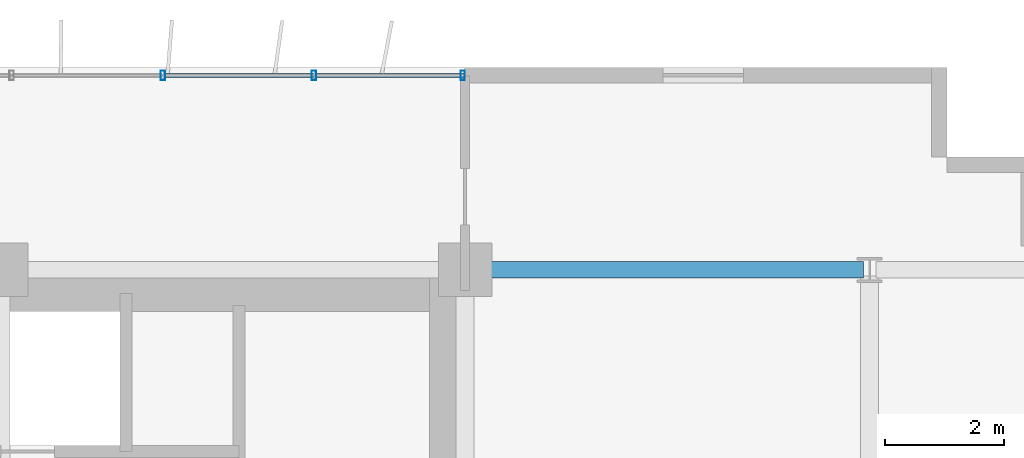
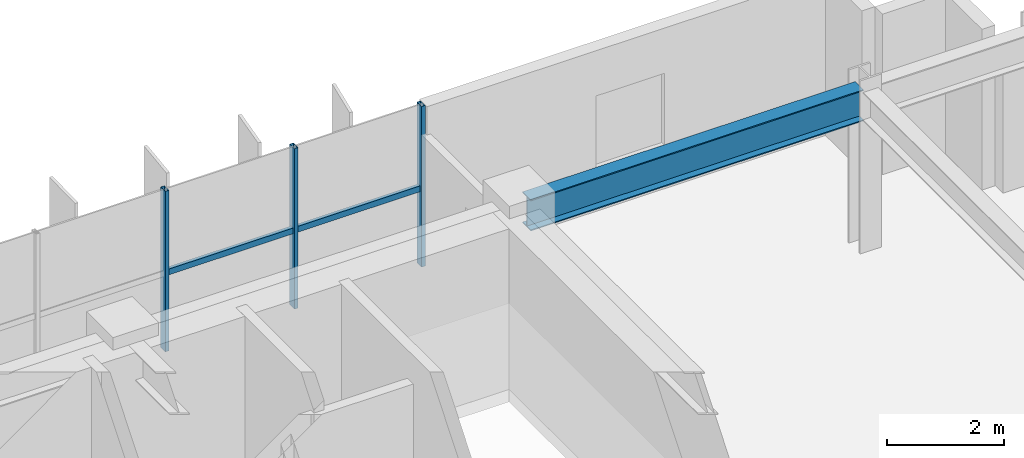
# One storey, part 12 of 21: 5 members, 1 beam, 1 element without a shape of its own.
"""IFC4 building model written with IfcOpenShell, lengths in metres."""

from ifc_helpers import new_model, si_unit, direction, frame, origin, origin_2d, place, context, subcontext, project, spatial, hollow_rectangle, i_section, extrude, source, transform, mapped, material, material_profile, profile_set, type_object, element, aggregate, save


model = new_model("IFC4")

# Units and contexts
model_context = context("Model", 3, precision=1e-05, world=origin(), true_north=direction((0.0, 1.0)))
body_context = subcontext(model_context, "Body", "Model", "MODEL_VIEW")
ifc_project = project(units=[si_unit("LENGTHUNIT", "METRE"), si_unit("AREAUNIT", "SQUARE_METRE"), si_unit("VOLUMEUNIT", "CUBIC_METRE"), si_unit("PLANEANGLEUNIT", "RADIAN"), si_unit("MASSUNIT", "GRAM", prefix="KILO")], contexts=[model_context])

# Site, building, storey
site_placement = place(None, origin())
site = spatial("IfcSite", under=ifc_project, at=site_placement, CompositionType="ELEMENT")
building_placement = place(site_placement, origin())
building = spatial("IfcBuilding", under=site, at=building_placement, Name="Trelvane Seafront Commons", CompositionType="ELEMENT")
storey_placement = place(building_placement, frame((0.0, 0.0, 37.89990234375)))
storey = spatial("IfcBuildingStorey", under=building, at=storey_placement, Name="L09", CompositionType="ELEMENT", Elevation=37.89990234375)

# Beam
ifc_material_1 = material(Name="Steel SM355 (S355)", Category="steel")
ifc_material_profile_1 = material_profile(ifc_material_1, i_section(OverallWidth=0.280029296875, OverallDepth=0.64990234375, WebThickness=0.012939453125, FlangeThickness=0.02197265625, at=origin_2d()), Name="H-650x280x13x22")
ifc_profile_set_1 = profile_set([ifc_material_profile_1], Name="Steel SM355 (S355)")
beam_type = type_object("IfcBeamType", Name="STR-BM-H650", PredefinedType="BEAM", material=ifc_profile_set_1)
shared_shape_1 = source(origin(), body_context, "Body", "SweptSolid", [
    extrude(i_section(OverallWidth=0.280029296875, OverallDepth=0.64990234375, WebThickness=0.012939453125, FlangeThickness=0.02197265625, at=origin_2d()), origin(), (0.0, 0.0, 1.0), 6.545166015625),
])
beam_placement = place(storey_placement, frame((58.949951171875, 45.10009765625, 3.01513671875), z_axis=(1.0, 0.0, 0.0), x_axis=(0.0, 1.0, 0.0)))
element("IfcBeam", 1, at=beam_placement, inside=storey, type_object=beam_type, Name="L09 Primary Girder G-35", PredefinedType="BEAM", context=body_context, shape_type="MappedRepresentation", body=[
    mapped(shared_shape_1, transform((0.0, 0.0, 0.0), x_axis=(1.0, 0.0, 0.0), y_axis=(0.0, 1.0, 0.0), z_axis=(0.0, 0.0, 1.0), scale=1.0)),
])

# Curtain wall, members
ifc_material_2 = material(Name="Anodised pale-silver aluminium", Category="aluminium")
curtain_wall_type = type_object("IfcCurtainWallType", Name="ARCH-CW2-LOWTOWER", PredefinedType="NOTDEFINED", material=ifc_material_2)
curtain_wall_placement = place(storey_placement, origin())
curtain_wall = element("IfcCurtainWall", 2, at=curtain_wall_placement, inside=storey, type_object=curtain_wall_type, Name="CW-L09-0033", PredefinedType="NOTDEFINED")
ifc_material_profile_2 = material_profile(ifc_material_2, hollow_rectangle(XDim=0.074951171875, YDim=0.159912109375, WallThickness=0.00390625, at=origin_2d()), Name="MULL-75x160x4")
ifc_profile_set_2 = profile_set([ifc_material_profile_2], Name="Anodised pale-silver aluminium")
member_type_1 = type_object("IfcMemberType", Name="ARCH-CW-MULL-160", PredefinedType="MULLION", material=ifc_profile_set_2)
shared_shape_2 = source(origin(), body_context, "Body", "SweptSolid", [
    extrude(hollow_rectangle(XDim=0.074951171875, YDim=0.159912109375, WallThickness=0.00390625, at=origin_2d()), origin(), (0.0, 0.0, 1.0), 3.340087890625),
])
member_1_placement = place(storey_placement, frame((53.717529296875, 48.3701171875, 0.0), z_axis=(0.0, 0.0, 1.0), x_axis=(1.0, 0.0, 0.0)))
member_1 = element("IfcMember", 3, at=member_1_placement, type_object=member_type_1, Name="CW-L09-0033-M15", PredefinedType="MULLION", context=body_context, shape_type="MappedRepresentation", body=[
    mapped(shared_shape_2, transform((0.0, 0.0, 0.0), x_axis=(1.0, 0.0, 0.0), y_axis=(0.0, 1.0, 0.0), z_axis=(0.0, 0.0, 1.0), scale=1.0)),
])
member_2_placement = place(storey_placement, frame((56.2587890625, 48.3701171875, 0.0), z_axis=(0.0, 0.0, 1.0), x_axis=(1.0, 0.0, 0.0)))
member_2 = element("IfcMember", 4, at=member_2_placement, type_object=member_type_1, Name="CW-L09-0033-M16", PredefinedType="MULLION", context=body_context, shape_type="MappedRepresentation", body=[
    mapped(shared_shape_2, transform((0.0, 0.0, 0.0), x_axis=(1.0, 0.0, 0.0), y_axis=(0.0, 1.0, 0.0), z_axis=(0.0, 0.0, 1.0), scale=1.0)),
])
member_3_placement = place(storey_placement, frame((58.760009765625, 48.3701171875, 0.0), z_axis=(0.0, 0.0, 1.0), x_axis=(1.0, 0.0, 0.0)))
member_3 = element("IfcMember", 5, at=member_3_placement, type_object=member_type_1, Name="CW-L09-0033-M17", PredefinedType="MULLION", context=body_context, shape_type="MappedRepresentation", body=[
    mapped(shared_shape_2, transform((0.0, 0.0, 0.0), x_axis=(1.0, 0.0, 0.0), y_axis=(0.0, 1.0, 0.0), z_axis=(0.0, 0.0, 1.0), scale=1.0)),
])
ifc_material_profile_3 = material_profile(ifc_material_2, hollow_rectangle(XDim=0.070068359375, YDim=0.1201171875, WallThickness=0.00390625, at=origin_2d()), Name="TRAN-70x120x4")
ifc_profile_set_3 = profile_set([ifc_material_profile_3], Name="Anodised pale-silver aluminium")
member_type_2 = type_object("IfcMemberType", Name="ARCH-CW-TRAN-120", PredefinedType="USERDEFINED", material=ifc_profile_set_3)
shared_shape_3 = source(origin(), body_context, "Body", "SweptSolid", [
    extrude(hollow_rectangle(XDim=0.070068359375, YDim=0.1201171875, WallThickness=0.00390625, at=origin_2d()), origin(), (0.0, 0.0, 1.0), 2.517333984375),
])
member_4_placement = place(storey_placement, frame((53.7294921875, 48.3701171875, 1.60302734375), z_axis=(1.0, 0.0, 0.0), x_axis=(0.0, 1.0, 0.0)))
member_4 = element("IfcMember", 6, at=member_4_placement, type_object=member_type_2, Name="CW-L09-0033-T15", ObjectType="TRANSOM", PredefinedType="USERDEFINED", context=body_context, shape_type="MappedRepresentation", body=[
    mapped(shared_shape_3, transform((0.0, 0.0, 0.0), x_axis=(1.0, 0.0, 0.0), y_axis=(0.0, 1.0, 0.0), z_axis=(0.0, 0.0, 1.0), scale=1.0)),
])
member_5_placement = place(storey_placement, frame((56.270751953125, 48.3701171875, 1.60302734375), z_axis=(1.0, 0.0, 0.0), x_axis=(0.0, 1.0, 0.0)))
member_5 = element("IfcMember", 7, at=member_5_placement, type_object=member_type_2, Name="CW-L09-0033-T16", ObjectType="TRANSOM", PredefinedType="USERDEFINED", context=body_context, shape_type="MappedRepresentation", body=[
    mapped(shared_shape_3, transform((0.0, 0.0, 0.0), x_axis=(1.0, 0.0, 0.0), y_axis=(0.0, 1.0, 0.0), z_axis=(0.0, 0.0, 1.0), scale=1.0)),
])
aggregate(curtain_wall, [member_1, member_2, member_3, member_4, member_5])

save(model, "model.ifc")
